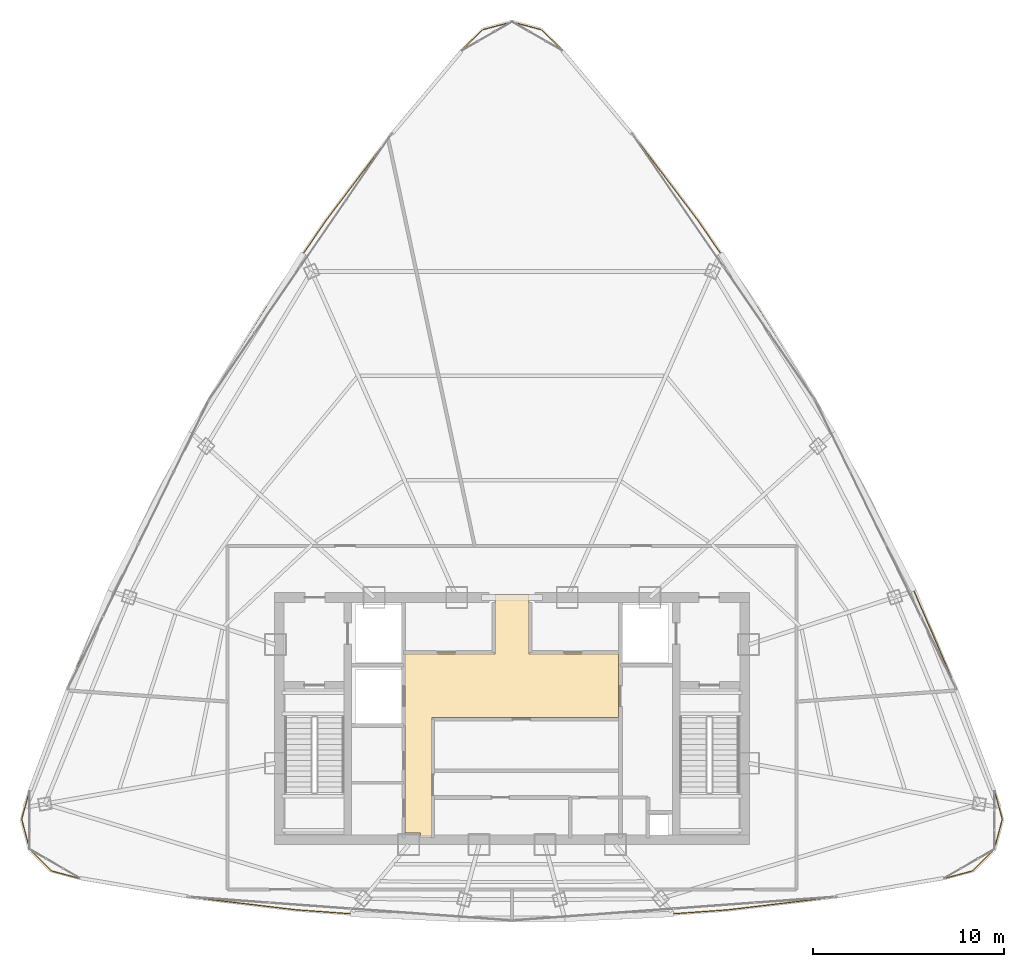
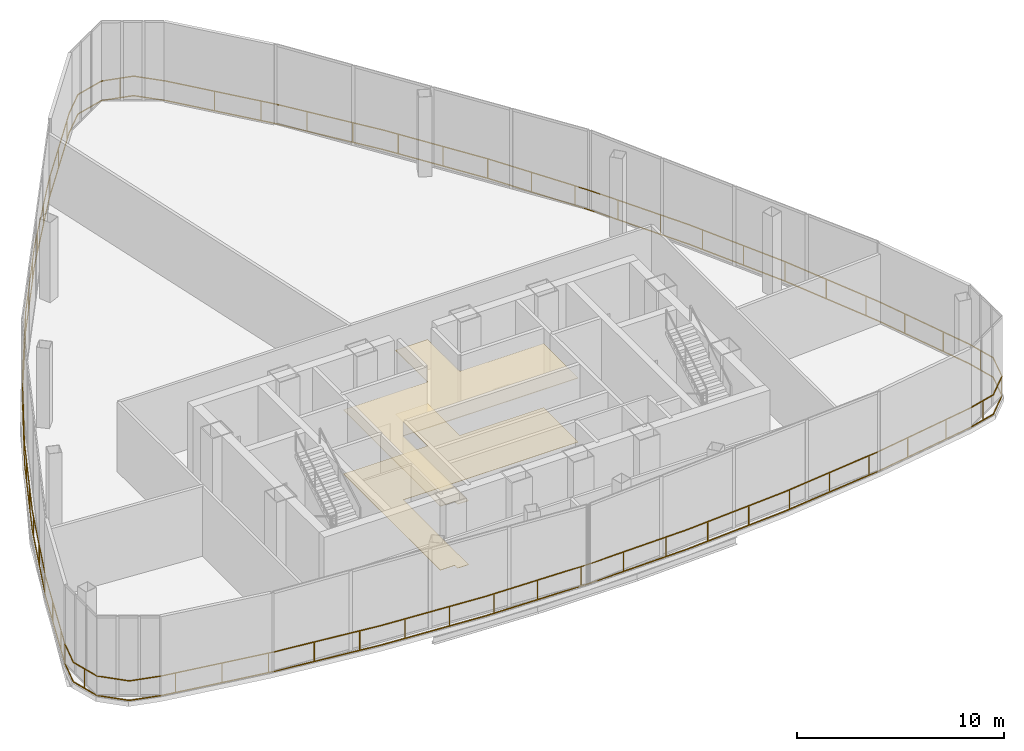
# One storey, part 32 of 33: 2 coverings, 2 railings.
"""IFC4 building model written with IfcOpenShell, lengths in metres."""

from ifc_helpers import new_model, si_unit, direction, frame, origin, origin_2d, place, context, subcontext, project, spatial, polyline, rectangle, outline, extrude, material, layer, layer_set, type_object, element, save


model = new_model("IFC4")

# Units and contexts
model_context = context("Model", 3, precision=1e-05, world=origin(), true_north=direction((0.0, 1.0)))
body_context = subcontext(model_context, "Body", "Model", "MODEL_VIEW")
ifc_project = project(units=[si_unit("LENGTHUNIT", "METRE"), si_unit("AREAUNIT", "SQUARE_METRE"), si_unit("VOLUMEUNIT", "CUBIC_METRE"), si_unit("PLANEANGLEUNIT", "RADIAN"), si_unit("MASSUNIT", "GRAM", prefix="KILO"), si_unit("THERMODYNAMICTEMPERATUREUNIT", "KELVIN"), si_unit("POWERUNIT", "WATT")], contexts=[model_context])

# Site, building, storey
site_placement = place(None, origin())
site = spatial("IfcSite", under=ifc_project, at=site_placement, CompositionType="ELEMENT")
building_placement = place(site_placement, origin())
building = spatial("IfcBuilding", under=site, at=building_placement, Name="Yunzhuo Pagoda Commons", CompositionType="ELEMENT")
storey_placement = place(building_placement, frame((0.0, 0.0, 386.760009765625)))
storey = spatial("IfcBuildingStorey", under=building, at=storey_placement, Name="L96", CompositionType="ELEMENT", Elevation=386.760009765625)

# Coverings
ifc_material_1 = material(Name="Micro-perforated metal baffle ceiling")
ifc_layer_1 = layer(ifc_material_1, 0.034912109375)
ifc_layer_set_1 = layer_set([ifc_layer_1], Name="Micro-perforated metal baffle ceiling")
covering_type_1 = type_object("IfcCoveringType", Name="COV-CL3 Ceiling 35", PredefinedType="CEILING", material=ifc_layer_set_1)
covering_1_placement = place(storey_placement, frame((0.0, 0.0, 3.77001953125)))
element("IfcCovering", 1, at=covering_1_placement, inside=storey, type_object=covering_type_1, Name="L96 lift lobby acoustic ceiling", PredefinedType="CEILING", context=body_context, shape_type="SweptSolid", body=[
    extrude(outline(polyline([(43.207763671875, 27.85009765625), (43.201904296875, 27.864013671875), (43.187744140625, 27.8701171875), (42.39990234375, 27.8701171875), (42.39990234375, 33.89990234375), (42.39990234375, 37.25), (47.10009765625, 37.25), (47.10009765625, 40.35009765625), (48.89990234375, 40.35009765625), (48.89990234375, 37.25), (53.580078125, 37.25), (53.580078125, 33.89990234375), (43.820068359375, 33.89990234375), (43.820068359375, 27.60009765625), (43.207763671875, 27.60009765625), (43.207763671875, 27.85009765625)])), origin(), (0.0, 0.0, 1.0), 0.034912109375),
])
ifc_material_2 = material(Name="Resilient acoustic studio flooring")
ifc_layer_2 = layer(ifc_material_2, 0.01806640625)
ifc_layer_set_2 = layer_set([ifc_layer_2], Name="Resilient acoustic studio flooring")
covering_type_2 = type_object("IfcCoveringType", Name="COV-FL3 Flooring 18", PredefinedType="FLOORING", material=ifc_layer_set_2)
covering_2_placement = place(storey_placement, origin())
element("IfcCovering", 2, at=covering_2_placement, inside=storey, type_object=covering_type_2, Name="L96 lift lobby flooring", PredefinedType="FLOORING", context=body_context, shape_type="SweptSolid", body=[
    extrude(outline(polyline([(43.207763671875, 27.85009765625), (43.201904296875, 27.864013671875), (43.187744140625, 27.8701171875), (42.39990234375, 27.8701171875), (42.39990234375, 33.89990234375), (42.39990234375, 37.25), (47.10009765625, 37.25), (47.10009765625, 40.35009765625), (48.89990234375, 40.35009765625), (48.89990234375, 37.25), (53.580078125, 37.25), (53.580078125, 33.89990234375), (43.820068359375, 33.89990234375), (43.820068359375, 27.60009765625), (43.207763671875, 27.60009765625), (43.207763671875, 27.85009765625)])), origin(), (0.0, 0.0, 1.0), 0.01806640625),
])

# Railings
ifc_material_3 = material(Name="Anodized aluminium 6063-T6", Category="aluminium")
railing_type = type_object("IfcRailingType", Name="RL-PRT1 Wind Portal & Refuge Guardrail 1200", PredefinedType="GUARDRAIL", material=ifc_material_3)
railing_1_placement = place(storey_placement, frame((22.740234375, 30.14990234375, 0.0)))
element("IfcRailing", 3, at=railing_1_placement, inside=storey, type_object=railing_type, Name="L96 crown drum perimeter guardrail A", PredefinedType="GUARDRAIL", context=body_context, shape_type="SweptSolid", body=[
    extrude(rectangle(XDim=0.048095703125, YDim=0.048095703125, at=origin_2d()), frame((0.0, 0.0, 1.17578125), z_axis=(-0.264505611158, -0.964384146316, 0.0), x_axis=(0.964384146316, -0.264505611158, 0.0)), (0.0, 0.0, 1.0), 1.621826171875),
    extrude(rectangle(XDim=0.048095703125, YDim=0.048095703125, at=origin_2d()), frame((0.0, 0.0, 0.02392578125), z_axis=(-0.264505611158, -0.964384146316, 0.0), x_axis=(0.964384146316, -0.264505611158, 0.0)), (0.0, 0.0, 1.0), 1.621826171875),
    extrude(rectangle(XDim=0.048095703125, YDim=0.048095703125, at=origin_2d()), frame((-0.428955078125, -1.56396484375, 1.17578125), z_axis=(0.255212982377, -0.966884860584, 0.0), x_axis=(0.966884860584, 0.255212982377, 0.0)), (0.0, 0.0, 1.0), 1.61962890625),
    extrude(rectangle(XDim=0.048095703125, YDim=0.048095703125, at=origin_2d()), frame((-0.428955078125, -1.56396484375, 0.02392578125), z_axis=(0.255212982377, -0.966884860584, 0.0), x_axis=(0.966884860584, 0.255212982377, 0.0)), (0.0, 0.0, 1.0), 1.61962890625),
    extrude(rectangle(XDim=0.048095703125, YDim=0.048095703125, at=origin_2d()), frame((-0.015625, -3.1298828125, 1.17578125), z_axis=(0.706428067739, -0.707784843798, 0.0), x_axis=(0.707784843798, 0.706428067739, 0.0)), (0.0, 0.0, 1.0), 1.619384765625),
    extrude(rectangle(XDim=0.048095703125, YDim=0.048095703125, at=origin_2d()), frame((-0.015625, -3.1298828125, 0.02392578125), z_axis=(0.706428067739, -0.707784843798, 0.0), x_axis=(0.707784843798, 0.706428067739, 0.0)), (0.0, 0.0, 1.0), 1.619384765625),
    extrude(rectangle(XDim=0.048095703125, YDim=0.048095703125, at=origin_2d()), frame((1.12841796875, -4.276123046875, 1.17578125), z_axis=(0.966204944096, -0.257775107417, 0.0), x_axis=(0.257775107417, 0.966204944096, 0.0)), (0.0, 0.0, 1.0), 1.621337890625),
    extrude(rectangle(XDim=0.048095703125, YDim=0.048095703125, at=origin_2d()), frame((1.12841796875, -4.276123046875, 0.02392578125), z_axis=(0.966204944096, -0.257775107417, 0.0), x_axis=(0.257775107417, 0.966204944096, 0.0)), (0.0, 0.0, 1.0), 1.621337890625),
    extrude(rectangle(XDim=0.048095703125, YDim=0.048095703125, at=origin_2d()), frame((2.695068359375, -4.694091796875, 1.17578125), z_axis=(0.986119654953, -0.166036219285, 0.0), x_axis=(0.166036219285, 0.986119654953, 0.0)), (0.0, 0.0, 1.0), 5.730224609375),
    extrude(rectangle(XDim=0.048095703125, YDim=0.048095703125, at=origin_2d()), frame((2.695068359375, -4.694091796875, 0.02392578125), z_axis=(0.986119654953, -0.166036219285, 0.0), x_axis=(0.166036219285, 0.986119654953, 0.0)), (0.0, 0.0, 1.0), 5.730224609375),
    extrude(rectangle(XDim=0.048095703125, YDim=0.048095703125, at=origin_2d()), frame((8.345703125, -5.6455078125, 1.17578125), z_axis=(0.992925120312, -0.1187421806, 0.0), x_axis=(0.1187421806, 0.992925120312, 0.0)), (0.0, 0.0, 1.0), 5.68505859375),
    extrude(rectangle(XDim=0.048095703125, YDim=0.048095703125, at=origin_2d()), frame((8.345703125, -5.6455078125, 0.02392578125), z_axis=(0.992925120312, -0.1187421806, 0.0), x_axis=(0.1187421806, 0.992925120312, 0.0)), (0.0, 0.0, 1.0), 5.68505859375),
    extrude(rectangle(XDim=0.048095703125, YDim=0.048095703125, at=origin_2d()), frame((13.990478515625, -6.320556640625, 1.17578125), z_axis=(0.997465930761, -0.071145744574, 0.0), x_axis=(0.071145744574, 0.997465930761, 0.0)), (0.0, 0.0, 1.0), 5.65185546875),
    extrude(rectangle(XDim=0.048095703125, YDim=0.048095703125, at=origin_2d()), frame((13.990478515625, -6.320556640625, 0.02392578125), z_axis=(0.997465930761, -0.071145744574, 0.0), x_axis=(0.071145744574, 0.997465930761, 0.0)), (0.0, 0.0, 1.0), 5.65185546875),
    extrude(rectangle(XDim=0.048095703125, YDim=0.048095703125, at=origin_2d()), frame((19.6279296875, -6.72265625, 1.17578125), z_axis=(0.999720003261, -0.023662524787, 0.0), x_axis=(0.023662524787, 0.999720003261, 0.0)), (0.0, 0.0, 1.0), 5.63330078125),
    extrude(rectangle(XDim=0.048095703125, YDim=0.048095703125, at=origin_2d()), frame((19.6279296875, -6.72265625, 0.02392578125), z_axis=(0.999720003261, -0.023662524787, 0.0), x_axis=(0.023662524787, 0.999720003261, 0.0)), (0.0, 0.0, 1.0), 5.63330078125),
    extrude(rectangle(XDim=0.048095703125, YDim=0.048095703125, at=origin_2d()), frame((25.259765625, -6.85595703125, 1.17578125), z_axis=(0.999719978994, 0.02366355003, 0.0), x_axis=(-0.02366355003, 0.999719978994, 0.0)), (0.0, 0.0, 1.0), 5.633056640625),
    extrude(rectangle(XDim=0.048095703125, YDim=0.048095703125, at=origin_2d()), frame((25.259765625, -6.85595703125, 0.02392578125), z_axis=(0.999719978994, 0.02366355003, 0.0), x_axis=(-0.02366355003, 0.999719978994, 0.0)), (0.0, 0.0, 1.0), 5.633056640625),
    extrude(rectangle(XDim=0.048095703125, YDim=0.048095703125, at=origin_2d()), frame((30.891357421875, -6.72265625, 1.17578125), z_axis=(0.997466149399, 0.071142679199, 0.0), x_axis=(-0.071142679199, 0.997466149399, 0.0)), (0.0, 0.0, 1.0), 5.652099609375),
    extrude(rectangle(XDim=0.048095703125, YDim=0.048095703125, at=origin_2d()), frame((30.891357421875, -6.72265625, 0.02392578125), z_axis=(0.997466149399, 0.071142679199, 0.0), x_axis=(-0.071142679199, 0.997466149399, 0.0)), (0.0, 0.0, 1.0), 5.652099609375),
    extrude(rectangle(XDim=0.048095703125, YDim=0.048095703125, at=origin_2d()), frame((36.529052734375, -6.320556640625, 1.17578125), z_axis=(0.992925120312, 0.1187421806, 0.0), x_axis=(-0.1187421806, 0.992925120312, 0.0)), (0.0, 0.0, 1.0), 5.68505859375),
    extrude(rectangle(XDim=0.048095703125, YDim=0.048095703125, at=origin_2d()), frame((36.529052734375, -6.320556640625, 0.02392578125), z_axis=(0.992925120312, 0.1187421806, 0.0), x_axis=(-0.1187421806, 0.992925120312, 0.0)), (0.0, 0.0, 1.0), 5.68505859375),
    extrude(rectangle(XDim=0.048095703125, YDim=0.048095703125, at=origin_2d()), frame((42.173828125, -5.6455078125, 1.17578125), z_axis=(0.986119654953, 0.166036219285, 0.0), x_axis=(-0.166036219285, 0.986119654953, 0.0)), (0.0, 0.0, 1.0), 5.730224609375),
    extrude(rectangle(XDim=0.048095703125, YDim=0.048095703125, at=origin_2d()), frame((42.173828125, -5.6455078125, 0.02392578125), z_axis=(0.986119654953, 0.166036219285, 0.0), x_axis=(-0.166036219285, 0.986119654953, 0.0)), (0.0, 0.0, 1.0), 5.730224609375),
    extrude(rectangle(XDim=0.048095703125, YDim=0.048095703125, at=origin_2d()), frame((47.824462890625, -4.694091796875, 1.17578125), z_axis=(0.966204944096, 0.257775107417, 0.0), x_axis=(-0.257775107417, 0.966204944096, 0.0)), (0.0, 0.0, 1.0), 1.621337890625),
    extrude(rectangle(XDim=0.048095703125, YDim=0.048095703125, at=origin_2d()), frame((47.824462890625, -4.694091796875, 0.02392578125), z_axis=(0.966204944096, 0.257775107417, 0.0), x_axis=(-0.257775107417, 0.966204944096, 0.0)), (0.0, 0.0, 1.0), 1.621337890625),
    extrude(rectangle(XDim=0.048095703125, YDim=0.048095703125, at=origin_2d()), frame((49.39111328125, -4.276123046875, 1.17578125), z_axis=(0.706428067739, 0.707784843798, 0.0), x_axis=(-0.707784843798, 0.706428067739, 0.0)), (0.0, 0.0, 1.0), 1.619384765625),
    extrude(rectangle(XDim=0.048095703125, YDim=0.048095703125, at=origin_2d()), frame((49.39111328125, -4.276123046875, 0.02392578125), z_axis=(0.706428067739, 0.707784843798, 0.0), x_axis=(-0.707784843798, 0.706428067739, 0.0)), (0.0, 0.0, 1.0), 1.619384765625),
    extrude(rectangle(XDim=0.048095703125, YDim=0.048095703125, at=origin_2d()), frame((50.53515625, -3.1298828125, 1.17578125), z_axis=(0.255212982377, 0.966884860584, 0.0), x_axis=(-0.966884860584, 0.255212982377, 0.0)), (0.0, 0.0, 1.0), 1.61962890625),
    extrude(rectangle(XDim=0.048095703125, YDim=0.048095703125, at=origin_2d()), frame((50.53515625, -3.1298828125, 0.02392578125), z_axis=(0.255212982377, 0.966884860584, 0.0), x_axis=(-0.966884860584, 0.255212982377, 0.0)), (0.0, 0.0, 1.0), 1.61962890625),
    extrude(rectangle(XDim=0.048095703125, YDim=0.048095703125, at=origin_2d()), frame((50.948486328125, -1.56396484375, 1.17578125), z_axis=(-0.264505611158, 0.964384146316, 0.0), x_axis=(-0.964384146316, -0.264505611158, 0.0)), (0.0, 0.0, 1.0), 1.621826171875),
    extrude(rectangle(XDim=0.048095703125, YDim=0.048095703125, at=origin_2d()), frame((50.948486328125, -1.56396484375, 0.02392578125), z_axis=(-0.264505611158, 0.964384146316, 0.0), x_axis=(-0.964384146316, -0.264505611158, 0.0)), (0.0, 0.0, 1.0), 1.621826171875),
    extrude(rectangle(XDim=0.048095703125, YDim=0.048095703125, at=origin_2d()), frame((50.51953125, 0.0, 1.17578125), z_axis=(-0.352445708471, 0.935832261989, 0.0), x_axis=(-0.935832261989, -0.352445708471, 0.0)), (0.0, 0.0, 1.0), 5.684326171875),
    extrude(rectangle(XDim=0.048095703125, YDim=0.048095703125, at=origin_2d()), frame((50.51953125, 0.0, 0.02392578125), z_axis=(-0.352445708471, 0.935832261989, 0.0), x_axis=(-0.935832261989, -0.352445708471, 0.0)), (0.0, 0.0, 1.0), 5.684326171875),
    extrude(rectangle(XDim=0.048095703125, YDim=0.048095703125, at=origin_2d()), frame((48.51611328125, 5.319580078125, 1.17578125), z_axis=(-0.397088580281, 0.917780289291, 0.0), x_axis=(-0.917780289291, -0.397088580281, 0.0)), (0.0, 0.0, 1.0), 5.63916015625),
    extrude(rectangle(XDim=0.048095703125, YDim=0.048095703125, at=origin_2d()), frame((48.51611328125, 5.319580078125, 0.02392578125), z_axis=(-0.397088580281, 0.917780289291, 0.0), x_axis=(-0.917780289291, -0.397088580281, 0.0)), (0.0, 0.0, 1.0), 5.63916015625),
    extrude(rectangle(XDim=0.0419921875, YDim=0.0419921875, at=origin_2d()), origin(), (0.0, 0.0, 1.0), 1.15185546875),
    extrude(rectangle(XDim=0.0419921875, YDim=0.0419921875, at=origin_2d()), frame((-0.230224609375, -2.31640625, 0.0)), (0.0, 0.0, 1.0), 1.15185546875),
    extrude(rectangle(XDim=0.0419921875, YDim=0.0419921875, at=origin_2d()), frame((3.40283203125, -4.813232421875, 0.0)), (0.0, 0.0, 1.0), 1.15185546875),
    extrude(rectangle(XDim=0.0419921875, YDim=0.0419921875, at=origin_2d()), frame((5.76953125, -5.211669921875, 0.0)), (0.0, 0.0, 1.0), 1.15185546875),
    extrude(rectangle(XDim=0.0419921875, YDim=0.0419921875, at=origin_2d()), frame((8.13623046875, -5.6103515625, 0.0)), (0.0, 0.0, 1.0), 1.15185546875),
    extrude(rectangle(XDim=0.0419921875, YDim=0.0419921875, at=origin_2d()), frame((10.517822265625, -5.9052734375, 0.0)), (0.0, 0.0, 1.0), 1.15185546875),
    extrude(rectangle(XDim=0.0419921875, YDim=0.0419921875, at=origin_2d()), frame((12.90087890625, -6.190185546875, 0.0)), (0.0, 0.0, 1.0), 1.15185546875),
    extrude(rectangle(XDim=0.0419921875, YDim=0.0419921875, at=origin_2d()), frame((15.289794921875, -6.413330078125, 0.0)), (0.0, 0.0, 1.0), 1.15185546875),
    extrude(rectangle(XDim=0.0419921875, YDim=0.0419921875, at=origin_2d()), frame((17.683837890625, -6.583984375, 0.0)), (0.0, 0.0, 1.0), 1.15185546875),
    extrude(rectangle(XDim=0.0419921875, YDim=0.0419921875, at=origin_2d()), frame((20.07861328125, -6.7333984375, 0.0)), (0.0, 0.0, 1.0), 1.15185546875),
    extrude(rectangle(XDim=0.0419921875, YDim=0.0419921875, at=origin_2d()), frame((22.47802734375, -6.7900390625, 0.0)), (0.0, 0.0, 1.0), 1.15185546875),
    extrude(rectangle(XDim=0.0419921875, YDim=0.0419921875, at=origin_2d()), frame((24.87744140625, -6.846923828125, 0.0)), (0.0, 0.0, 1.0), 1.15185546875),
    extrude(rectangle(XDim=0.0419921875, YDim=0.0419921875, at=origin_2d()), frame((27.276611328125, -6.80810546875, 0.0)), (0.0, 0.0, 1.0), 1.15185546875),
    extrude(rectangle(XDim=0.0419921875, YDim=0.0419921875, at=origin_2d()), frame((29.676025390625, -6.75146484375, 0.0)), (0.0, 0.0, 1.0), 1.15185546875),
    extrude(rectangle(XDim=0.0419921875, YDim=0.0419921875, at=origin_2d()), frame((32.07275390625, -6.638427734375, 0.0)), (0.0, 0.0, 1.0), 1.15185546875),
    extrude(rectangle(XDim=0.0419921875, YDim=0.0419921875, at=origin_2d()), frame((34.466552734375, -6.4677734375, 0.0)), (0.0, 0.0, 1.0), 1.15185546875),
    extrude(rectangle(XDim=0.0419921875, YDim=0.0419921875, at=origin_2d()), frame((36.85888671875, -6.281005859375, 0.0)), (0.0, 0.0, 1.0), 1.15185546875),
    extrude(rectangle(XDim=0.0419921875, YDim=0.0419921875, at=origin_2d()), frame((39.241943359375, -5.99609375, 0.0)), (0.0, 0.0, 1.0), 1.15185546875),
    extrude(rectangle(XDim=0.0419921875, YDim=0.0419921875, at=origin_2d()), frame((41.625, -5.711181640625, 0.0)), (0.0, 0.0, 1.0), 1.15185546875),
    extrude(rectangle(XDim=0.0419921875, YDim=0.0419921875, at=origin_2d()), frame((43.995361328125, -5.3388671875, 0.0)), (0.0, 0.0, 1.0), 1.15185546875),
    extrude(rectangle(XDim=0.0419921875, YDim=0.0419921875, at=origin_2d()), frame((46.362060546875, -4.940185546875, 0.0)), (0.0, 0.0, 1.0), 1.15185546875),
    extrude(rectangle(XDim=0.0419921875, YDim=0.0419921875, at=origin_2d()), frame((48.71044921875, -4.457763671875, 0.0)), (0.0, 0.0, 1.0), 1.15185546875),
    extrude(rectangle(XDim=0.0419921875, YDim=0.0419921875, at=origin_2d()), frame((50.5546875, -3.05615234375, 0.0)), (0.0, 0.0, 1.0), 1.15185546875),
    extrude(rectangle(XDim=0.0419921875, YDim=0.0419921875, at=origin_2d()), frame((50.721923828125, -0.73779296875, 0.0)), (0.0, 0.0, 1.0), 1.15185546875),
    extrude(rectangle(XDim=0.0419921875, YDim=0.0419921875, at=origin_2d()), frame((49.943359375, 1.530029296875, 0.0)), (0.0, 0.0, 1.0), 1.15185546875),
    extrude(rectangle(XDim=0.0419921875, YDim=0.0419921875, at=origin_2d()), frame((49.097412109375, 3.77587890625, 0.0)), (0.0, 0.0, 1.0), 1.15185546875),
    extrude(rectangle(XDim=0.0419921875, YDim=0.0419921875, at=origin_2d()), frame((48.218017578125, 6.008544921875, 0.0)), (0.0, 0.0, 1.0), 1.15185546875),
    extrude(rectangle(XDim=0.0419921875, YDim=0.0419921875, at=origin_2d()), frame((47.26513671875, 8.211181640625, 0.0)), (0.0, 0.0, 1.0), 1.15185546875),
    extrude(rectangle(XDim=0.0419921875, YDim=0.0419921875, at=origin_2d()), frame((46.27685546875, 10.4951171875, 0.0)), (0.0, 0.0, 1.0), 1.15185546875),
])
railing_2_placement = place(storey_placement, frame((69.01708984375, 40.64501953125, 0.0)))
element("IfcRailing", 4, at=railing_2_placement, inside=storey, type_object=railing_type, Name="L96 crown drum perimeter guardrail B", PredefinedType="GUARDRAIL", context=body_context, shape_type="SweptSolid", body=[
    extrude(rectangle(XDim=0.048095703125, YDim=0.048095703125, at=origin_2d()), frame((0.0, 0.0, 1.17578125), z_axis=(-0.440861408543, 0.897575188192, 0.0), x_axis=(-0.897575188192, -0.440861408543, 0.0)), (0.0, 0.0, 1.0), 5.60595703125),
    extrude(rectangle(XDim=0.048095703125, YDim=0.048095703125, at=origin_2d()), frame((0.0, 0.0, 0.02392578125), z_axis=(-0.440861408543, 0.897575188192, 0.0), x_axis=(-0.897575188192, -0.440861408543, 0.0)), (0.0, 0.0, 1.0), 5.60595703125),
    extrude(rectangle(XDim=0.048095703125, YDim=0.048095703125, at=origin_2d()), frame((-2.471435546875, 5.03173828125, 1.17578125), z_axis=(-0.483404209544, 0.875397264215, 0.0), x_axis=(-0.875397264215, -0.483404209544, 0.0)), (0.0, 0.0, 1.0), 5.58740234375),
    extrude(rectangle(XDim=0.048095703125, YDim=0.048095703125, at=origin_2d()), frame((-2.471435546875, 5.03173828125, 0.02392578125), z_axis=(-0.483404209544, 0.875397264215, 0.0), x_axis=(-0.875397264215, -0.483404209544, 0.0)), (0.0, 0.0, 1.0), 5.58740234375),
    extrude(rectangle(XDim=0.048095703125, YDim=0.048095703125, at=origin_2d()), frame((-5.17236328125, 9.9228515625, 1.17578125), z_axis=(-0.524619058666, 0.851337091453, 0.0), x_axis=(-0.851337091453, -0.524619058666, 0.0)), (0.0, 0.0, 1.0), 5.587158203125),
    extrude(rectangle(XDim=0.048095703125, YDim=0.048095703125, at=origin_2d()), frame((-5.17236328125, 9.9228515625, 0.02392578125), z_axis=(-0.524619058666, 0.851337091453, 0.0), x_axis=(-0.851337091453, -0.524619058666, 0.0)), (0.0, 0.0, 1.0), 5.587158203125),
    extrude(rectangle(XDim=0.048095703125, YDim=0.048095703125, at=origin_2d()), frame((-8.103515625, 14.679443359375, 1.17578125), z_axis=(-0.56484003921, 0.825200418144, 0.0), x_axis=(-0.825200418144, -0.56484003921, 0.0)), (0.0, 0.0, 1.0), 5.60546875),
    extrude(rectangle(XDim=0.048095703125, YDim=0.048095703125, at=origin_2d()), frame((-8.103515625, 14.679443359375, 0.02392578125), z_axis=(-0.56484003921, 0.825200418144, 0.0), x_axis=(-0.825200418144, -0.56484003921, 0.0)), (0.0, 0.0, 1.0), 5.60546875),
    extrude(rectangle(XDim=0.048095703125, YDim=0.048095703125, at=origin_2d()), frame((-11.269775390625, 19.30517578125, 1.17578125), z_axis=(-0.603934375004, 0.797034046129, 0.0), x_axis=(-0.797034046129, -0.603934375004, 0.0)), (0.0, 0.0, 1.0), 5.638916015625),
    extrude(rectangle(XDim=0.048095703125, YDim=0.048095703125, at=origin_2d()), frame((-11.269775390625, 19.30517578125, 0.02392578125), z_axis=(-0.603934375004, 0.797034046129, 0.0), x_axis=(-0.797034046129, -0.603934375004, 0.0)), (0.0, 0.0, 1.0), 5.638916015625),
    extrude(rectangle(XDim=0.048095703125, YDim=0.048095703125, at=origin_2d()), frame((-14.67529296875, 23.799560546875, 1.17578125), z_axis=(-0.64156485009, 0.767068799475, 0.0), x_axis=(-0.767068799475, -0.64156485009, 0.0)), (0.0, 0.0, 1.0), 5.68408203125),
    extrude(rectangle(XDim=0.048095703125, YDim=0.048095703125, at=origin_2d()), frame((-14.67529296875, 23.799560546875, 0.02392578125), z_axis=(-0.64156485009, 0.767068799475, 0.0), x_axis=(-0.767068799475, -0.64156485009, 0.0)), (0.0, 0.0, 1.0), 5.68408203125),
    extrude(rectangle(XDim=0.048095703125, YDim=0.048095703125, at=origin_2d()), frame((-18.322021484375, 28.15966796875, 1.17578125), z_axis=(-0.708469655856, 0.70574127464, 0.0), x_axis=(-0.70574127464, -0.708469655856, 0.0)), (0.0, 0.0, 1.0), 1.610595703125),
    extrude(rectangle(XDim=0.048095703125, YDim=0.048095703125, at=origin_2d()), frame((-18.322021484375, 28.15966796875, 0.02392578125), z_axis=(-0.708469655856, 0.70574127464, 0.0), x_axis=(-0.70574127464, -0.708469655856, 0.0)), (0.0, 0.0, 1.0), 1.610595703125),
    extrude(rectangle(XDim=0.048095703125, YDim=0.048095703125, at=origin_2d()), frame((-19.463134765625, 29.29638671875, 1.17578125), z_axis=(-0.965982586194, 0.258607121268, 0.0), x_axis=(-0.258607121268, -0.965982586194, 0.0)), (0.0, 0.0, 1.0), 1.608642578125),
    extrude(rectangle(XDim=0.048095703125, YDim=0.048095703125, at=origin_2d()), frame((-19.463134765625, 29.29638671875, 0.02392578125), z_axis=(-0.965982586194, 0.258607121268, 0.0), x_axis=(-0.258607121268, -0.965982586194, 0.0)), (0.0, 0.0, 1.0), 1.608642578125),
    extrude(rectangle(XDim=0.048095703125, YDim=0.048095703125, at=origin_2d()), frame((-21.01708984375, 29.71240234375, 1.17578125), z_axis=(-0.965982586194, -0.258607121268, 0.0), x_axis=(0.258607121268, -0.965982586194, 0.0)), (0.0, 0.0, 1.0), 1.608642578125),
    extrude(rectangle(XDim=0.048095703125, YDim=0.048095703125, at=origin_2d()), frame((-21.01708984375, 29.71240234375, 0.02392578125), z_axis=(-0.965982586194, -0.258607121268, 0.0), x_axis=(0.258607121268, -0.965982586194, 0.0)), (0.0, 0.0, 1.0), 1.608642578125),
    extrude(rectangle(XDim=0.048095703125, YDim=0.048095703125, at=origin_2d()), frame((-22.571044921875, 29.29638671875, 1.17578125), z_axis=(-0.708469655856, -0.70574127464, 0.0), x_axis=(0.70574127464, -0.708469655856, 0.0)), (0.0, 0.0, 1.0), 1.610595703125),
    extrude(rectangle(XDim=0.048095703125, YDim=0.048095703125, at=origin_2d()), frame((-22.571044921875, 29.29638671875, 0.02392578125), z_axis=(-0.708469655856, -0.70574127464, 0.0), x_axis=(0.70574127464, -0.708469655856, 0.0)), (0.0, 0.0, 1.0), 1.610595703125),
    extrude(rectangle(XDim=0.048095703125, YDim=0.048095703125, at=origin_2d()), frame((-23.712158203125, 28.15966796875, 1.17578125), z_axis=(-0.64156485009, -0.767068799475, 0.0), x_axis=(0.767068799475, -0.64156485009, 0.0)), (0.0, 0.0, 1.0), 5.68408203125),
    extrude(rectangle(XDim=0.048095703125, YDim=0.048095703125, at=origin_2d()), frame((-23.712158203125, 28.15966796875, 0.02392578125), z_axis=(-0.64156485009, -0.767068799475, 0.0), x_axis=(0.767068799475, -0.64156485009, 0.0)), (0.0, 0.0, 1.0), 5.68408203125),
    extrude(rectangle(XDim=0.048095703125, YDim=0.048095703125, at=origin_2d()), frame((-27.35888671875, 23.799560546875, 1.17578125), z_axis=(-0.603934375004, -0.797034046129, 0.0), x_axis=(0.797034046129, -0.603934375004, 0.0)), (0.0, 0.0, 1.0), 5.638916015625),
    extrude(rectangle(XDim=0.048095703125, YDim=0.048095703125, at=origin_2d()), frame((-27.35888671875, 23.799560546875, 0.02392578125), z_axis=(-0.603934375004, -0.797034046129, 0.0), x_axis=(0.797034046129, -0.603934375004, 0.0)), (0.0, 0.0, 1.0), 5.638916015625),
    extrude(rectangle(XDim=0.048095703125, YDim=0.048095703125, at=origin_2d()), frame((-30.764404296875, 19.30517578125, 1.17578125), z_axis=(-0.56484003921, -0.825200418144, 0.0), x_axis=(0.825200418144, -0.56484003921, 0.0)), (0.0, 0.0, 1.0), 5.60546875),
    extrude(rectangle(XDim=0.048095703125, YDim=0.048095703125, at=origin_2d()), frame((-30.764404296875, 19.30517578125, 0.02392578125), z_axis=(-0.56484003921, -0.825200418144, 0.0), x_axis=(0.825200418144, -0.56484003921, 0.0)), (0.0, 0.0, 1.0), 5.60546875),
    extrude(rectangle(XDim=0.048095703125, YDim=0.048095703125, at=origin_2d()), frame((-33.9306640625, 14.679443359375, 1.17578125), z_axis=(-0.524619058666, -0.851337091453, 0.0), x_axis=(0.851337091453, -0.524619058666, 0.0)), (0.0, 0.0, 1.0), 5.587158203125),
    extrude(rectangle(XDim=0.048095703125, YDim=0.048095703125, at=origin_2d()), frame((-33.9306640625, 14.679443359375, 0.02392578125), z_axis=(-0.524619058666, -0.851337091453, 0.0), x_axis=(0.851337091453, -0.524619058666, 0.0)), (0.0, 0.0, 1.0), 5.587158203125),
    extrude(rectangle(XDim=0.048095703125, YDim=0.048095703125, at=origin_2d()), frame((-36.86181640625, 9.9228515625, 1.17578125), z_axis=(-0.483404209544, -0.875397264215, 0.0), x_axis=(0.875397264215, -0.483404209544, 0.0)), (0.0, 0.0, 1.0), 5.58740234375),
    extrude(rectangle(XDim=0.048095703125, YDim=0.048095703125, at=origin_2d()), frame((-36.86181640625, 9.9228515625, 0.02392578125), z_axis=(-0.483404209544, -0.875397264215, 0.0), x_axis=(0.875397264215, -0.483404209544, 0.0)), (0.0, 0.0, 1.0), 5.58740234375),
    extrude(rectangle(XDim=0.048095703125, YDim=0.048095703125, at=origin_2d()), frame((-39.562744140625, 5.03173828125, 1.17578125), z_axis=(-0.440861408543, -0.897575188192, 0.0), x_axis=(0.897575188192, -0.440861408543, 0.0)), (0.0, 0.0, 1.0), 5.60595703125),
    extrude(rectangle(XDim=0.048095703125, YDim=0.048095703125, at=origin_2d()), frame((-39.562744140625, 5.03173828125, 0.02392578125), z_axis=(-0.440861408543, -0.897575188192, 0.0), x_axis=(0.897575188192, -0.440861408543, 0.0)), (0.0, 0.0, 1.0), 5.60595703125),
    extrude(rectangle(XDim=0.048095703125, YDim=0.048095703125, at=origin_2d()), frame((-42.0341796875, 0.0, 1.17578125), z_axis=(-0.397088580281, -0.917780289291, 0.0), x_axis=(0.917780289291, -0.397088580281, 0.0)), (0.0, 0.0, 1.0), 5.63916015625),
    extrude(rectangle(XDim=0.048095703125, YDim=0.048095703125, at=origin_2d()), frame((-42.0341796875, 0.0, 0.02392578125), z_axis=(-0.397088580281, -0.917780289291, 0.0), x_axis=(0.917780289291, -0.397088580281, 0.0)), (0.0, 0.0, 1.0), 5.63916015625),
    extrude(rectangle(XDim=0.048095703125, YDim=0.048095703125, at=origin_2d()), frame((-44.2734375, -5.175537109375, 1.17578125), z_axis=(-0.35245498995, -0.93582876642, 0.0), x_axis=(0.93582876642, -0.35245498995, 0.0)), (0.0, 0.0, 1.0), 5.6044921875),
    extrude(rectangle(XDim=0.048095703125, YDim=0.048095703125, at=origin_2d()), frame((-44.2734375, -5.175537109375, 0.02392578125), z_axis=(-0.35245498995, -0.93582876642, 0.0), x_axis=(0.93582876642, -0.35245498995, 0.0)), (0.0, 0.0, 1.0), 5.6044921875),
    extrude(rectangle(XDim=0.0419921875, YDim=0.0419921875, at=origin_2d()), origin(), (0.0, 0.0, 1.0), 1.15185546875),
    extrude(rectangle(XDim=0.0419921875, YDim=0.0419921875, at=origin_2d()), frame((-1.05810546875, 2.154296875, 0.0)), (0.0, 0.0, 1.0), 1.15185546875),
    extrude(rectangle(XDim=0.0419921875, YDim=0.0419921875, at=origin_2d()), frame((-2.1162109375, 4.308349609375, 0.0)), (0.0, 0.0, 1.0), 1.15185546875),
    extrude(rectangle(XDim=0.0419921875, YDim=0.0419921875, at=origin_2d()), frame((-3.241943359375, 6.42724609375, 0.0)), (0.0, 0.0, 1.0), 1.15185546875),
    extrude(rectangle(XDim=0.0419921875, YDim=0.0419921875, at=origin_2d()), frame((-4.402099609375, 8.528076171875, 0.0)), (0.0, 0.0, 1.0), 1.15185546875),
    extrude(rectangle(XDim=0.0419921875, YDim=0.0419921875, at=origin_2d()), frame((-5.595703125, 10.609619140625, 0.0)), (0.0, 0.0, 1.0), 1.15185546875),
    extrude(rectangle(XDim=0.0419921875, YDim=0.0419921875, at=origin_2d()), frame((-6.854736328125, 12.65283203125, 0.0)), (0.0, 0.0, 1.0), 1.15185546875),
    extrude(rectangle(XDim=0.0419921875, YDim=0.0419921875, at=origin_2d()), frame((-8.114501953125, 14.695556640625, 0.0)), (0.0, 0.0, 1.0), 1.15185546875),
    extrude(rectangle(XDim=0.0419921875, YDim=0.0419921875, at=origin_2d()), frame((-9.47021484375, 16.676025390625, 0.0)), (0.0, 0.0, 1.0), 1.15185546875),
    extrude(rectangle(XDim=0.0419921875, YDim=0.0419921875, at=origin_2d()), frame((-10.82568359375, 18.656494140625, 0.0)), (0.0, 0.0, 1.0), 1.15185546875),
    extrude(rectangle(XDim=0.0419921875, YDim=0.0419921875, at=origin_2d()), frame((-12.24462890625, 20.591552734375, 0.0)), (0.0, 0.0, 1.0), 1.15185546875),
    extrude(rectangle(XDim=0.0419921875, YDim=0.0419921875, at=origin_2d()), frame((-13.69384765625, 22.50439453125, 0.0)), (0.0, 0.0, 1.0), 1.15185546875),
    extrude(rectangle(XDim=0.0419921875, YDim=0.0419921875, at=origin_2d()), frame((-15.172607421875, 24.39404296875, 0.0)), (0.0, 0.0, 1.0), 1.15185546875),
    extrude(rectangle(XDim=0.0419921875, YDim=0.0419921875, at=origin_2d()), frame((-16.71240234375, 26.235107421875, 0.0)), (0.0, 0.0, 1.0), 1.15185546875),
    extrude(rectangle(XDim=0.0419921875, YDim=0.0419921875, at=origin_2d()), frame((-20.120361328125, 29.472412109375, 0.0)), (0.0, 0.0, 1.0), 1.15185546875),
    extrude(rectangle(XDim=0.0419921875, YDim=0.0419921875, at=origin_2d()), frame((-24.130615234375, 27.659423828125, 0.0)), (0.0, 0.0, 1.0), 1.15185546875),
    extrude(rectangle(XDim=0.0419921875, YDim=0.0419921875, at=origin_2d()), frame((-25.67041015625, 25.818359375, 0.0)), (0.0, 0.0, 1.0), 1.15185546875),
    extrude(rectangle(XDim=0.0419921875, YDim=0.0419921875, at=origin_2d()), frame((-27.210205078125, 23.977294921875, 0.0)), (0.0, 0.0, 1.0), 1.15185546875),
    extrude(rectangle(XDim=0.0419921875, YDim=0.0419921875, at=origin_2d()), frame((-28.668212890625, 22.071533203125, 0.0)), (0.0, 0.0, 1.0), 1.15185546875),
    extrude(rectangle(XDim=0.0419921875, YDim=0.0419921875, at=origin_2d()), frame((-30.11767578125, 20.15869140625, 0.0)), (0.0, 0.0, 1.0), 1.15185546875),
    extrude(rectangle(XDim=0.0419921875, YDim=0.0419921875, at=origin_2d()), frame((-31.51513671875, 18.208251953125, 0.0)), (0.0, 0.0, 1.0), 1.15185546875),
    extrude(rectangle(XDim=0.0419921875, YDim=0.0419921875, at=origin_2d()), frame((-32.870849609375, 16.227783203125, 0.0)), (0.0, 0.0, 1.0), 1.15185546875),
    extrude(rectangle(XDim=0.0419921875, YDim=0.0419921875, at=origin_2d()), frame((-34.205322265625, 14.233642578125, 0.0)), (0.0, 0.0, 1.0), 1.15185546875),
    extrude(rectangle(XDim=0.0419921875, YDim=0.0419921875, at=origin_2d()), frame((-35.464599609375, 12.1904296875, 0.0)), (0.0, 0.0, 1.0), 1.15185546875),
    extrude(rectangle(XDim=0.0419921875, YDim=0.0419921875, at=origin_2d()), frame((-36.7236328125, 10.147216796875, 0.0)), (0.0, 0.0, 1.0), 1.15185546875),
    extrude(rectangle(XDim=0.0419921875, YDim=0.0419921875, at=origin_2d()), frame((-37.89453125, 8.052490234375, 0.0)), (0.0, 0.0, 1.0), 1.15185546875),
    extrude(rectangle(XDim=0.0419921875, YDim=0.0419921875, at=origin_2d()), frame((-39.0546875, 5.95166015625, 0.0)), (0.0, 0.0, 1.0), 1.15185546875),
    extrude(rectangle(XDim=0.0419921875, YDim=0.0419921875, at=origin_2d()), frame((-40.157470703125, 3.82080078125, 0.0)), (0.0, 0.0, 1.0), 1.15185546875),
    extrude(rectangle(XDim=0.0419921875, YDim=0.0419921875, at=origin_2d()), frame((-41.215576171875, 1.66650390625, 0.0)), (0.0, 0.0, 1.0), 1.15185546875),
    extrude(rectangle(XDim=0.0419921875, YDim=0.0419921875, at=origin_2d()), frame((-42.25, -0.49853515625, 0.0)), (0.0, 0.0, 1.0), 1.15185546875),
    extrude(rectangle(XDim=0.0419921875, YDim=0.0419921875, at=origin_2d()), frame((-43.202880859375, -2.701171875, 0.0)), (0.0, 0.0, 1.0), 1.15185546875),
    extrude(rectangle(XDim=0.0419921875, YDim=0.0419921875, at=origin_2d()), frame((-44.156005859375, -4.904052734375, 0.0)), (0.0, 0.0, 1.0), 1.15185546875),
    extrude(rectangle(XDim=0.0419921875, YDim=0.0419921875, at=origin_2d()), frame((-45.01513671875, -7.14453125, 0.0)), (0.0, 0.0, 1.0), 1.15185546875),
    extrude(rectangle(XDim=0.0419921875, YDim=0.0419921875, at=origin_2d()), frame((-45.86083984375, -9.390625, 0.0)), (0.0, 0.0, 1.0), 1.15185546875),
    extrude(rectangle(XDim=0.0419921875, YDim=0.0419921875, at=origin_2d()), frame((-46.248779296875, -10.42041015625, 0.0)), (0.0, 0.0, 1.0), 1.15185546875),
])

save(model, "model.ifc")
